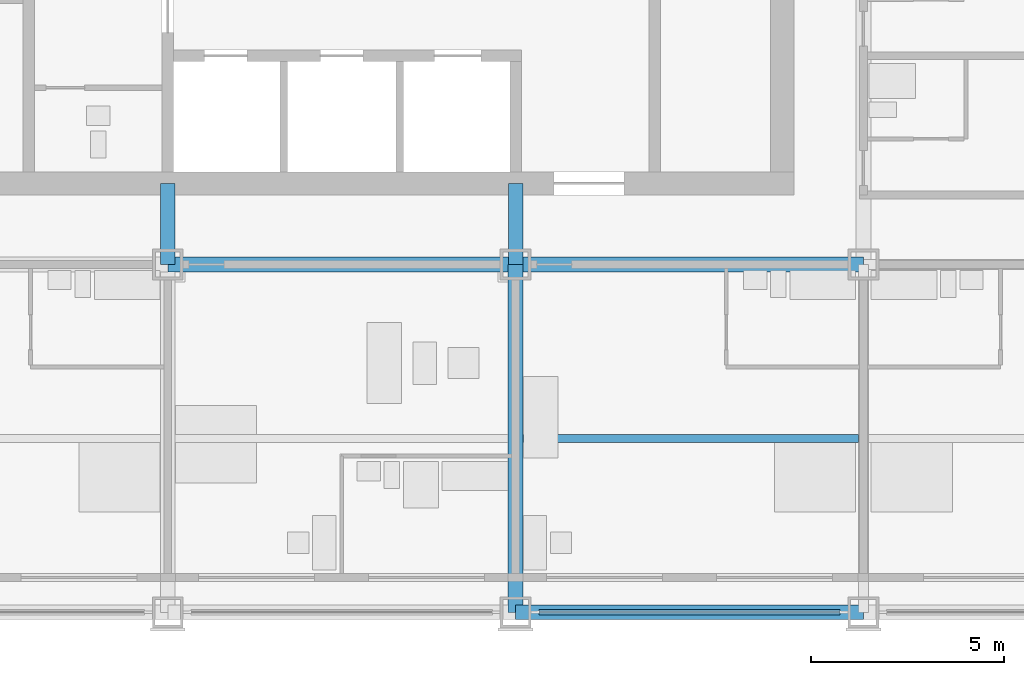
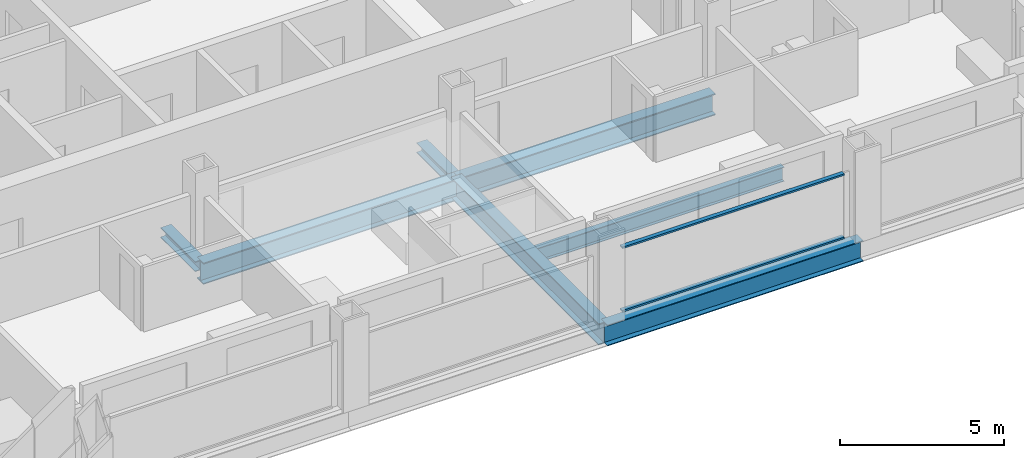
# One storey, part 3 of 16: 5 beams, 4 members, 1 element without a shape of its own.
"""IFC4 building model written with IfcOpenShell, lengths in metres."""

from ifc_helpers import new_model, si_unit, direction, frame, origin, origin_2d, place, context, subcontext, project, spatial, rectangle, i_section, extrude, material, material_profile, profile_set, type_object, element, aggregate, save


model = new_model("IFC4")

# Units and contexts
model_context = context("Model", 3, precision=1e-05, world=origin(), true_north=direction((0.0, 1.0)))
body_context = subcontext(model_context, "Body", "Model", "MODEL_VIEW")
ifc_project = project(units=[si_unit("LENGTHUNIT", "METRE"), si_unit("AREAUNIT", "SQUARE_METRE"), si_unit("VOLUMEUNIT", "CUBIC_METRE"), si_unit("PLANEANGLEUNIT", "RADIAN"), si_unit("MASSUNIT", "GRAM", prefix="KILO")], contexts=[model_context])

# Site, building, storey
site_placement = place(None, origin())
site = spatial("IfcSite", under=ifc_project, at=site_placement, CompositionType="ELEMENT")
building_placement = place(site_placement, origin())
building = spatial("IfcBuilding", under=site, at=building_placement, Name="Loomwork Tower", CompositionType="ELEMENT")
storey_placement = place(building_placement, frame((0.0, 0.0, 111.199951171875)))
storey = spatial("IfcBuildingStorey", under=building, at=storey_placement, Name="L29", CompositionType="ELEMENT", Elevation=111.199951171875)

# Beams
ifc_material_1 = material(Name="Steel ASTM A992", Category="steel")
ifc_material_profile_1 = material_profile(ifc_material_1, i_section(OverallWidth=0.383544921875, OverallDepth=0.794921875, WebThickness=0.02099609375, FlangeThickness=0.0380859375, at=origin_2d()), Name="W30x235")
ifc_profile_set_1 = profile_set([ifc_material_profile_1], Name="Steel ASTM A992")
beam_type_1 = type_object("IfcBeamType", Name="CORE FLANK GIRDER W30x235", PredefinedType="BEAM", material=ifc_profile_set_1)
for number, where, z_axis, x_axis, name in (
    (1, (18.0, 9.0, -0.597412109375), (1.0, 0.0, 0.0), (0.0, 1.0, 0.0), "Core Flank Girder E/4-E/5 L29"),
    (2, (27.0, 9.0, -0.597412109375), (1.0, 0.0, 0.0), (0.0, 1.0, 0.0), "Core Flank Girder E/5-E/6 L29"),
    (3, (27.0, 0.0, -0.597412109375), (0.0, 1.0, 0.0), (-1.0, 0.0, 0.0), "Core Flank Girder D/5-E/5 L29"),
):
    element("IfcBeam", number, at=place(storey_placement, frame(where, z_axis=z_axis, x_axis=x_axis)), inside=storey, type_object=beam_type_1, Name=name, PredefinedType="BEAM", context=body_context, shape_type="SweptSolid", body=[
        extrude(i_section(OverallWidth=0.383544921875, OverallDepth=0.794921875, WebThickness=0.02099609375, FlangeThickness=0.0380859375, at=origin_2d()), origin(), (0.0, 0.0, 1.0), 9.0),
    ])

# Members
ifc_material_2 = material(Name="Steel ASTM A992", Category="steel")
ifc_material_profile_2 = material_profile(ifc_material_2, i_section(OverallWidth=0.373291015625, OverallDepth=0.373291015625, WebThickness=0.016357421875, FlangeThickness=0.026123046875, at=origin_2d()), Name="W14x132")
ifc_profile_set_2 = profile_set([ifc_material_profile_2], Name="Steel ASTM A992")
member_type_1 = type_object("IfcMemberType", Name="CORE LINK STRUT W14x132", PredefinedType="STRUT", material=ifc_profile_set_2)
for number, where, z_axis, x_axis, name in (
    (4, (27.0, 9.0, -0.38671875), (0.0, 1.0, 0.0), (-1.0, 0.0, 0.0), "Core link strut E/5-27.000,11.100 L29"),
    (5, (18.0, 9.0, -0.38671875), (0.0, 1.0, 0.0), (-1.0, 0.0, 0.0), "Core link strut E/4-18.000,11.100 L29"),
):
    element("IfcMember", number, at=place(storey_placement, frame(where, z_axis=z_axis, x_axis=x_axis)), inside=storey, type_object=member_type_1, Name=name, PredefinedType="STRUT", context=body_context, shape_type="SweptSolid", body=[
        extrude(i_section(OverallWidth=0.373291015625, OverallDepth=0.373291015625, WebThickness=0.016357421875, FlangeThickness=0.026123046875, at=origin_2d()), origin(), (0.0, 0.0, 1.0), 2.10009765625),
    ])

# Beam
ifc_material_3 = material(Name="Steel ASTM A992", Category="steel")
ifc_material_profile_3 = material_profile(ifc_material_3, i_section(OverallWidth=0.2109375, OverallDepth=0.53857421875, WebThickness=0.011474609375, FlangeThickness=0.018798828125, at=origin_2d()), Name="W21x73")
ifc_profile_set_3 = profile_set([ifc_material_profile_3], Name="Steel ASTM A992")
beam_type_2 = type_object("IfcBeamType", Name="FLOOR JOIST W21x73", PredefinedType="JOIST", material=ifc_profile_set_3)
beam_1_placement = place(storey_placement, frame((27.19091796875, 4.5, -0.46923828125), z_axis=(1.0, 0.0, 0.0), x_axis=(0.0, 1.0, 0.0)))
element("IfcBeam", 6, at=beam_1_placement, inside=storey, type_object=beam_type_2, Name="Floor Joist 27.000,4.500-36.000,4.500 L29", PredefinedType="JOIST", context=body_context, shape_type="SweptSolid", body=[
    extrude(i_section(OverallWidth=0.2109375, OverallDepth=0.53857421875, WebThickness=0.011474609375, FlangeThickness=0.018798828125, at=origin_2d()), origin(), (0.0, 0.0, 1.0), 8.676025390625),
])

# Curtain wall, members
ifc_material_4 = material(Name="Aluminium curtain wall frame", Category="aluminium")
curtain_wall_type = type_object("IfcCurtainWallType", Name="Outer skin glazing hotel", PredefinedType="NOTDEFINED", material=ifc_material_4)
curtain_wall_placement = place(storey_placement, origin())
curtain_wall = element("IfcCurtainWall", 7, at=curtain_wall_placement, inside=storey, type_object=curtain_wall_type, Name="Outer skin glazing hotel cw/S-27", PredefinedType="NOTDEFINED")
ifc_material_5 = material(Name="Aluminium curtain wall frame", Category="aluminium")
ifc_material_profile_4 = material_profile(ifc_material_5, rectangle(XDim=0.14990234375, YDim=0.06494140625, at=origin_2d()), Name="AL 65x150")
ifc_profile_set_4 = profile_set([ifc_material_profile_4], Name="Aluminium curtain wall frame")
member_type_2 = type_object("IfcMemberType", Name="Outer skin glazing hotel transom", PredefinedType="USERDEFINED", material=ifc_profile_set_4)
member_1_placement = place(storey_placement, frame((27.60009765625, 0.0, 0.032470703125), z_axis=(1.0, 0.0, 0.0), x_axis=(0.0, 1.0, 0.0)))
member_1 = element("IfcMember", 8, at=member_1_placement, type_object=member_type_2, Name="CW1 transom 1.1", ObjectType="TRANSOM", PredefinedType="USERDEFINED", context=body_context, shape_type="SweptSolid", body=[
    extrude(rectangle(XDim=0.14990234375, YDim=0.06494140625, at=origin_2d()), origin(), (0.0, 0.0, 1.0), 7.7998046875),
])
member_2_placement = place(storey_placement, frame((27.60009765625, 0.0, 2.3876953125), z_axis=(1.0, 0.0, 0.0), x_axis=(0.0, 1.0, 0.0)))
member_2 = element("IfcMember", 9, at=member_2_placement, type_object=member_type_2, Name="CW1 transom 1.2", ObjectType="TRANSOM", PredefinedType="USERDEFINED", context=body_context, shape_type="SweptSolid", body=[
    extrude(rectangle(XDim=0.14990234375, YDim=0.06494140625, at=origin_2d()), origin(), (0.0, 0.0, 1.0), 7.7998046875),
])
aggregate(curtain_wall, [member_1, member_2])

# Beam
ifc_material_6 = material(Name="Steel ASTM A992", Category="steel")
ifc_material_profile_5 = material_profile(ifc_material_6, i_section(OverallWidth=0.381103515625, OverallDepth=0.77978515625, WebThickness=0.01806640625, FlangeThickness=0.0302734375, at=origin_2d()), Name="W30x191")
ifc_profile_set_5 = profile_set([ifc_material_profile_5], Name="Steel ASTM A992")
beam_type_3 = type_object("IfcBeamType", Name="SPANDREL GIRDER W30x191", PredefinedType="SPANDREL", material=ifc_profile_set_5)
beam_2_placement = place(storey_placement, frame((27.0, 0.0, -0.58984375), z_axis=(1.0, 0.0, 0.0), x_axis=(0.0, 1.0, 0.0)))
element("IfcBeam", 10, at=beam_2_placement, inside=storey, type_object=beam_type_3, Name="Spandrel Girder D/5-D/6 L29", PredefinedType="SPANDREL", context=body_context, shape_type="SweptSolid", body=[
    extrude(i_section(OverallWidth=0.381103515625, OverallDepth=0.77978515625, WebThickness=0.01806640625, FlangeThickness=0.0302734375, at=origin_2d()), origin(), (0.0, 0.0, 1.0), 9.0),
])

save(model, "model.ifc")
